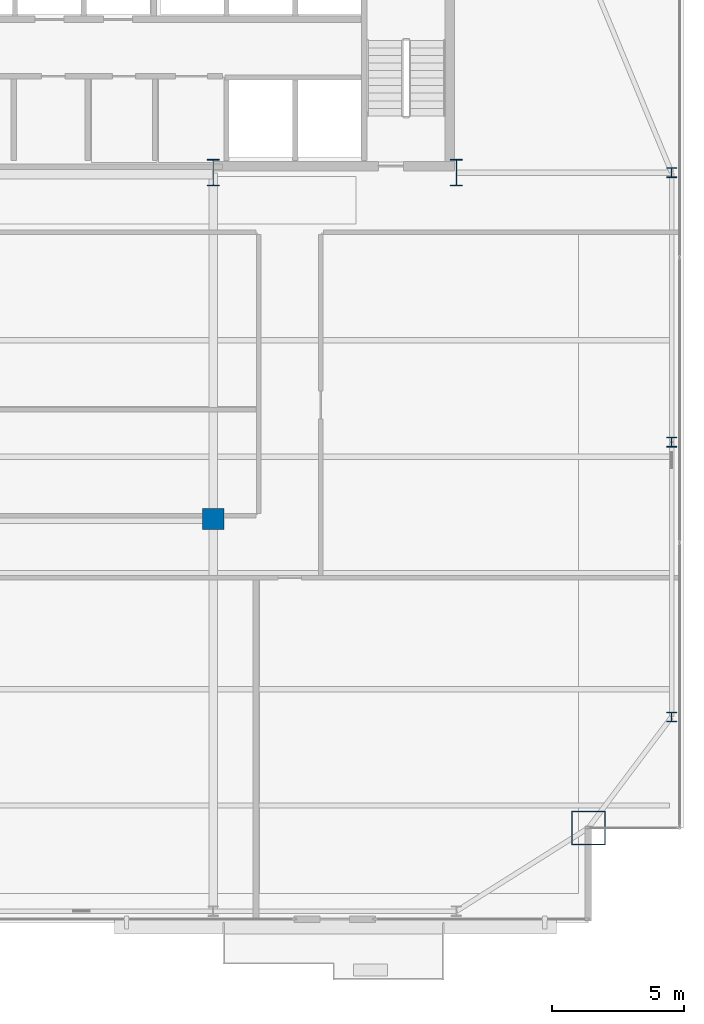
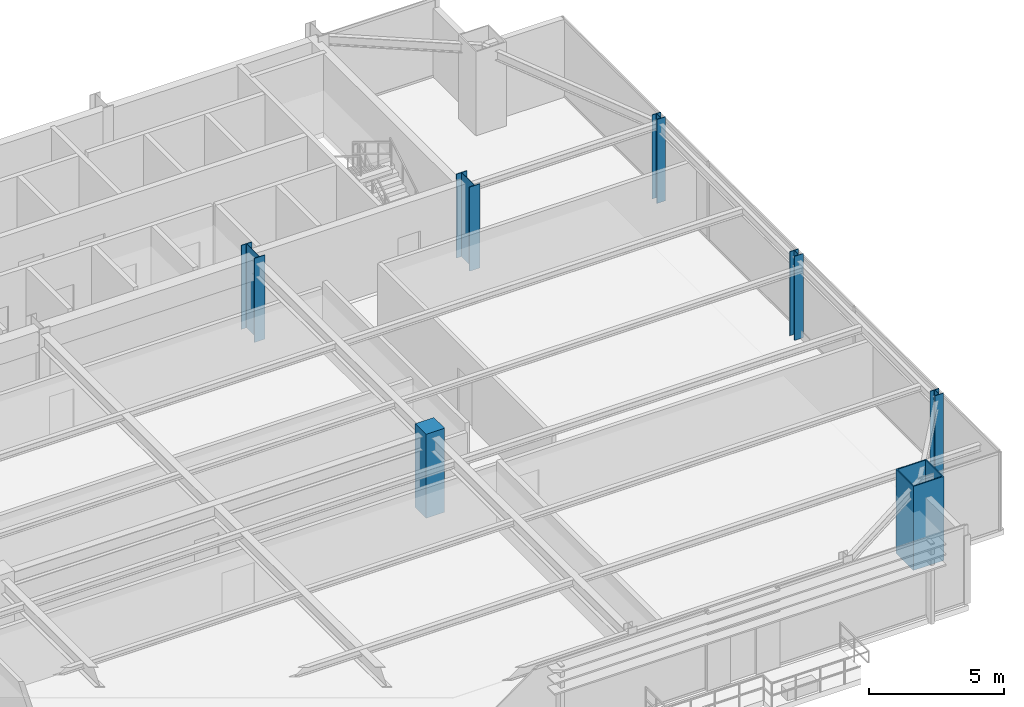
# One storey, part 2 of 31: 7 columns.
"""IFC4 building model written with IfcOpenShell, lengths in metres."""

import ifcopenshell
import ifcopenshell.guid

model = None  # the IFC model being written
_history = None  # IfcOwnerHistory: only IFC2X3 demands one
_inside = {}  # id of a spatial element -> (the spatial element, [elements in it])
_under = {}  # id of a project, library or spatial element -> (it, [spatial elements below it])
_declared = {}  # id of a project -> (the project, [libraries it declares])
_typed = {}  # id of a type object -> (the type object, [elements of that type])
_made_of = {}  # id of a material, layer set ... -> (it, [elements and type objects made of it])


def new_model(schema):
    """Start an empty IFC model of exactly this schema.

    Asked for "IFC4X3", IfcOpenShell would pick the latest addendum, in which some entities
    have other attributes; the version numbers below select the first issue.
    IFC2X3 requires an IfcOwnerHistory on every rooted entity: one is made here for all.
    """
    global model, _history
    if schema == "IFC4X3":
        model = ifcopenshell.file(schema_version=(4, 3, 0, 0))
    else:
        model = ifcopenshell.file(schema=schema)
    _inside.clear()
    _under.clear()
    _declared.clear()
    _typed.clear()
    _made_of.clear()
    _history = None
    if model.schema == "IFC2X3":
        org = make("IfcOrganization", Name="unknown")
        user = make(
            "IfcPersonAndOrganization",
            ThePerson=make("IfcPerson", FamilyName="unknown"),
            TheOrganization=org,
        )
        app = make(
            "IfcApplication",
            ApplicationDeveloper=org,
            Version="unknown",
            ApplicationFullName="unknown",
            ApplicationIdentifier="unknown",
        )
        _history = make(
            "IfcOwnerHistory",
            OwningUser=user,
            OwningApplication=app,
            ChangeAction="ADDED",
            CreationDate=0,
        )
    return model


def make(cls, **values):
    """One entity of the class cls with the attributes given. An attribute that is None is left unset."""
    return model.create_entity(
        cls, **{name: value for name, value in values.items() if value is not None}
    )


def rooted(cls, **values):
    """An entity with a GlobalId (a new one), such as an element, a storey or a relation."""
    return make(cls, GlobalId=ifcopenshell.guid.new(), OwnerHistory=_history, **values)


def si_unit(unit_type, name, prefix=None):
    """IfcSIUnit, for example si_unit("LENGTHUNIT", "METRE", prefix="MILLI")."""
    return make("IfcSIUnit", UnitType=unit_type, Prefix=prefix, Name=name)


def assignment(units):
    """IfcUnitAssignment: the units of a project."""
    return None if units is None else make("IfcUnitAssignment", Units=units)


def point(xyz):
    """IfcCartesianPoint."""
    return None if xyz is None else make("IfcCartesianPoint", Coordinates=xyz)


def direction(xyz):
    """IfcDirection."""
    return None if xyz is None else make("IfcDirection", DirectionRatios=xyz)


def frame(location, z_axis=None, x_axis=None):
    """IfcAxis2Placement3D, a coordinate frame: its origin and axes. An axis left out is left unset."""
    return make(
        "IfcAxis2Placement3D",
        Location=point(location),
        Axis=direction(z_axis),
        RefDirection=direction(x_axis),
    )


def frame_2d(location, x_axis=None):
    """IfcAxis2Placement2D, a coordinate frame in the plane: its origin and x axis."""
    return make(
        "IfcAxis2Placement2D", Location=point(location), RefDirection=direction(x_axis)
    )


def origin():
    """The frame at (0, 0, 0) with its axes left unset."""
    return frame((0.0, 0.0, 0.0))


def origin_2d():
    """The frame at (0, 0) in the plane with its x axis left unset."""
    return frame_2d((0.0, 0.0))


def place(relative_to, where):
    """IfcLocalPlacement: puts the frame where relative to a parent placement (None: the world)."""
    return make(
        "IfcLocalPlacement", PlacementRelTo=relative_to, RelativePlacement=where
    )


def context(
    kind, dimensions, precision=None, world=None, true_north=None, identifier=None
):
    """IfcGeometricRepresentationContext, for example the 3D "Model" context."""
    return make(
        "IfcGeometricRepresentationContext",
        ContextIdentifier=identifier,
        ContextType=kind,
        CoordinateSpaceDimension=dimensions,
        Precision=precision,
        WorldCoordinateSystem=world,
        TrueNorth=true_north,
    )


def subcontext(parent, identifier, kind, view, scale=None):
    """IfcGeometricRepresentationSubContext, for example "Body" below "Model"."""
    return make(
        "IfcGeometricRepresentationSubContext",
        ContextIdentifier=identifier,
        ContextType=kind,
        ParentContext=parent,
        TargetScale=scale,
        TargetView=view,
    )


def project(units=None, contexts=None):
    """IfcProject with its units and contexts."""
    return rooted(
        "IfcProject",
        Name="project",
        RepresentationContexts=contexts,
        UnitsInContext=assignment(units),
    )


def spatial(cls, under=None, at=None, **own):
    """A site, building, storey or space (cls), placed at a placement, below another one or the project."""
    s = rooted(cls, ObjectPlacement=at, **own)
    if under is not None:
        _under.setdefault(under.id(), (under, []))[1].append(s)
    return s


def profile(cls, at=None, kind="AREA", **sizes):
    """A parametric profile (cls). Its sizes go by their IFC names, for example OverallWidth=200.0."""
    return make(cls, ProfileType=kind, Position=at, **sizes)


def rectangle(**sizes):
    """IfcRectangleProfileDef."""
    return profile("IfcRectangleProfileDef", **sizes)


def hollow_rectangle(**sizes):
    """IfcRectangleHollowProfileDef."""
    return profile("IfcRectangleHollowProfileDef", **sizes)


def i_section(**sizes):
    """IfcIShapeProfileDef."""
    return profile("IfcIShapeProfileDef", **sizes)


def extrude(swept, where, along, depth):
    """IfcExtrudedAreaSolid: the profile swept, set in the frame where, extruded along a direction by depth."""
    return make(
        "IfcExtrudedAreaSolid",
        SweptArea=swept,
        Position=where,
        ExtrudedDirection=direction(along),
        Depth=depth,
    )


def shape(context_of_items, identifier, shape_type, items):
    """IfcShapeRepresentation: the items that make up one representation, for example the "Body"."""
    return make(
        "IfcShapeRepresentation",
        ContextOfItems=context_of_items,
        RepresentationIdentifier=identifier,
        RepresentationType=shape_type,
        Items=items,
    )


def source(mapping_origin, context_of_items, identifier, shape_type, items):
    """IfcRepresentationMap: a shape defined once, which mapped items show again and again."""
    return make(
        "IfcRepresentationMap",
        MappingOrigin=mapping_origin,
        MappedRepresentation=shape(context_of_items, identifier, shape_type, items),
    )


def transform(
    local_origin,
    x_axis=None,
    y_axis=None,
    z_axis=None,
    scale=None,
    scale2=None,
    scale3=None,
    uniform=True,
):
    """IfcCartesianTransformationOperator3D, or its non-uniform kind. x_axis, y_axis, z_axis: its Axis1, 2, 3."""
    if uniform:
        return make(
            "IfcCartesianTransformationOperator3D",
            Axis1=direction(x_axis),
            Axis2=direction(y_axis),
            LocalOrigin=point(local_origin),
            Scale=scale,
            Axis3=direction(z_axis),
        )
    return make(
        "IfcCartesianTransformationOperator3DnonUniform",
        Axis1=direction(x_axis),
        Axis2=direction(y_axis),
        LocalOrigin=point(local_origin),
        Scale=scale,
        Axis3=direction(z_axis),
        Scale2=scale2,
        Scale3=scale3,
    )


def mapped(mapping_source, mapping_target):
    """IfcMappedItem: shows the shape of a source again, moved by a transform."""
    return make(
        "IfcMappedItem", MappingSource=mapping_source, MappingTarget=mapping_target
    )


def material(Name=None, Category=None):
    """IfcMaterial."""
    return make("IfcMaterial", Name=Name, Category=Category)


def material_profile(
    of_material, cross_section, Name=None, Category=None, Priority=None
):
    """IfcMaterialProfile: a cross section and its material."""
    return make(
        "IfcMaterialProfile",
        Name=Name,
        Material=of_material,
        Profile=cross_section,
        Priority=Priority,
        Category=Category,
    )


def profile_set(profiles, Name=None, composite=None):
    """IfcMaterialProfileSet."""
    return make(
        "IfcMaterialProfileSet",
        Name=Name,
        MaterialProfiles=profiles,
        CompositeProfile=composite,
    )


def made_of(thing, what):
    """Note that an element or type object is made of a material, layer set ...; save() writes the relation."""
    if what is not None:
        _made_of.setdefault(what.id(), (what, []))[1].append(thing)
    return thing


def type_object(cls, material=None, **own):
    """A type object (cls), such as IfcWallType, which elements share."""
    return made_of(rooted(cls, **own), material)


def type_shapes(of_type, sources):
    """Give a type object the sources (RepresentationMaps) that its elements show as mapped items."""
    of_type.RepresentationMaps = sources


def element(
    cls,
    number,
    at=None,
    inside=None,
    cuts=None,
    type_object=None,
    material=None,
    context=None,
    identifier="Body",
    shape_type=None,
    held_by="IfcProductDefinitionShape",
    body=None,
    shapes=None,
    **own,
):
    """One element of the class cls, such as IfcWall. Its Tag is "e" and its number.

    at: its placement. inside: the storey or other place that contains it. cuts: it is an
    opening in that element (IfcRelVoidsElement). A single representation is given by context,
    identifier, shape_type and body (its items); several are given by shapes. held_by: the class
    of the entity that holds the representations. save() writes the other relations.
    """
    e = rooted(cls, Tag="e%d" % number, ObjectPlacement=at, **own)
    if body is not None:
        shapes = [shape(context, identifier, shape_type, body)]
    if shapes is not None:
        e.Representation = make(held_by, Representations=shapes)
    if inside is not None:
        _inside.setdefault(inside.id(), (inside, []))[1].append(e)
    if cuts is not None:
        rooted(
            "IfcRelVoidsElement", RelatingBuildingElement=cuts, RelatedOpeningElement=e
        )
    if type_object is not None:
        _typed.setdefault(type_object.id(), (type_object, []))[1].append(e)
    return made_of(e, material)


def aggregate(whole, parts):
    """IfcRelAggregates: a whole, such as a stair, and the parts it consists of."""
    return rooted("IfcRelAggregates", RelatingObject=whole, RelatedObjects=parts)


def save(model, path):
    """Write the relations noted so far, then the file.

    IfcRelAggregates (storeys below a building ...), IfcRelContainedInSpatialStructure (elements
    in a storey), IfcRelDefinesByType, IfcRelAssociatesMaterial and IfcRelDeclares: one each for
    every whole, place, type object, material and project.
    """
    for whole, parts in _under.values():
        aggregate(whole, parts)
    for where, things in _inside.values():
        rooted(
            "IfcRelContainedInSpatialStructure",
            RelatedElements=things,
            RelatingStructure=where,
        )
    for kind, things in _typed.values():
        rooted("IfcRelDefinesByType", RelatedObjects=things, RelatingType=kind)
    for what, things in _made_of.values():
        rooted("IfcRelAssociatesMaterial", RelatedObjects=things, RelatingMaterial=what)
    for by, libraries in _declared.values():
        rooted("IfcRelDeclares", RelatingContext=by, RelatedDefinitions=libraries)
    model.write(path)


model = new_model("IFC4")

# Units and contexts
model_context = context("Model", 3, precision=1e-05, world=origin(), true_north=direction((0.0, 1.0)))
body_context = subcontext(model_context, "Body", "Model", "MODEL_VIEW")
ifc_project = project(units=[si_unit("LENGTHUNIT", "METRE"), si_unit("AREAUNIT", "SQUARE_METRE"), si_unit("VOLUMEUNIT", "CUBIC_METRE"), si_unit("PLANEANGLEUNIT", "RADIAN"), si_unit("MASSUNIT", "GRAM", prefix="KILO")], contexts=[model_context])

# Site, building, storey
site_placement = place(None, origin())
site = spatial("IfcSite", under=ifc_project, at=site_placement, CompositionType="ELEMENT")
building_placement = place(site_placement, origin())
building = spatial("IfcBuilding", under=site, at=building_placement, Name="Varnel Quay Broadcast Tower", CompositionType="ELEMENT")
storey_placement = place(building_placement, frame((0.0, 0.0, 153.39990234375)))
storey = spatial("IfcBuildingStorey", under=building, at=storey_placement, Name="L37", CompositionType="ELEMENT", Elevation=153.39990234375)

# Columns
ifc_material_1 = material(Name="Structural Steel CSA G40.21 350WT", Category="steel")
ifc_material_profile_1 = material_profile(ifc_material_1, i_section(OverallWidth=0.449951171875, OverallDepth=1.0, WebThickness=0.01611328125, FlangeThickness=0.030029296875, FilletRadius=0.01611328125, at=origin_2d()), Name="WWF1000X362")
ifc_profile_set_1 = profile_set([ifc_material_profile_1], Name="Structural Steel CSA G40.21 350WT")
column_type_1 = type_object("IfcColumnType", Name="Col_WWF1000X362", PredefinedType="COLUMN", material=ifc_profile_set_1)
shared_shape_1 = source(origin(), body_context, "Body", "SweptSolid", [
    extrude(i_section(OverallWidth=0.449951171875, OverallDepth=1.0, WebThickness=0.01611328125, FlangeThickness=0.030029296875, FilletRadius=0.01611328125, at=origin_2d()), origin(), (0.0, 0.0, 1.0), 3.800048828125),
])
type_shapes(column_type_1, [shared_shape_1])
for number, where, z_axis, x_axis, name in (
    (1, (43.199951171875, 35.60009765625, 0.0), (0.0, 0.0, 1.0), (1.0, 0.0, 0.0), "L37 Column CC-S4"),
    (2, (52.39990234375, 35.60009765625, 0.0), (0.0, 0.0, 1.0), (1.0, 0.0, 0.0), "L37 Column CC-S5"),
):
    element("IfcColumn", number, at=place(storey_placement, frame(where, z_axis=z_axis, x_axis=x_axis)), inside=storey, type_object=column_type_1, Name=name, PredefinedType="COLUMN", context=body_context, shape_type="MappedRepresentation", body=[
        mapped(shared_shape_1, transform((0.0, 0.0, 0.0), x_axis=(1.0, 0.0, 0.0), y_axis=(0.0, 1.0, 0.0), z_axis=(0.0, 0.0, 1.0), scale=1.0)),
    ])
ifc_material_profile_2 = material_profile(ifc_material_1, hollow_rectangle(XDim=1.300048828125, YDim=1.300048828125, WallThickness=0.050048828125, at=origin_2d()), Name="BOX1300X1300X50")
ifc_profile_set_2 = profile_set([ifc_material_profile_2], Name="Structural Steel CSA G40.21 350WT")
column_type_2 = type_object("IfcColumnType", Name="Col_BOX1300X1300X50", PredefinedType="COLUMN", material=ifc_profile_set_2)
shared_shape_2 = source(origin(), body_context, "Body", "SweptSolid", [
    extrude(hollow_rectangle(XDim=1.300048828125, YDim=1.300048828125, WallThickness=0.050048828125, at=origin_2d()), origin(), (0.0, 0.0, 1.0), 3.800048828125),
])
type_shapes(column_type_2, [shared_shape_2])
column_1_placement = place(storey_placement, frame((57.39990234375, 10.800048828125, 0.0), z_axis=(0.0, 0.0, 1.0), x_axis=(1.0, 0.0, 0.0)))
element("IfcColumn", 3, at=column_1_placement, inside=storey, type_object=column_type_2, Name="L37 Column MC-SE", PredefinedType="COLUMN", context=body_context, shape_type="MappedRepresentation", body=[
    mapped(shared_shape_2, transform((0.0, 0.0, 0.0), x_axis=(1.0, 0.0, 0.0), y_axis=(0.0, 1.0, 0.0), z_axis=(0.0, 0.0, 1.0), scale=1.0)),
])
ifc_material_2 = material(Name="Structural Steel CSA G40.21 350W", Category="steel")
ifc_material_profile_3 = material_profile(ifc_material_2, i_section(OverallWidth=0.3740234375, OverallDepth=0.3720703125, WebThickness=0.016357421875, FlangeThickness=0.026123046875, FilletRadius=0.01611328125, at=origin_2d()), Name="W360X196")
ifc_profile_set_3 = profile_set([ifc_material_profile_3], Name="Structural Steel CSA G40.21 350W")
column_type_3 = type_object("IfcColumnType", Name="Col_W360X196", PredefinedType="COLUMN", material=ifc_profile_set_3)
shared_shape_3 = source(origin(), body_context, "Body", "SweptSolid", [
    extrude(i_section(OverallWidth=0.3740234375, OverallDepth=0.3720703125, WebThickness=0.016357421875, FlangeThickness=0.026123046875, FilletRadius=0.01611328125, at=origin_2d()), origin(), (0.0, 0.0, 1.0), 3.800048828125),
])
type_shapes(column_type_3, [shared_shape_3])
for number, where, z_axis, x_axis, name in (
    (4, (60.550048828125, 15.0, 0.0), (0.0, 0.0, 1.0), (1.0, 0.0, 0.0), "L37 Column TC-E1"),
    (5, (60.550048828125, 25.39990234375, 0.0), (0.0, 0.0, 1.0), (1.0, 0.0, 0.0), "L37 Column TC-E2"),
    (6, (60.550048828125, 35.60009765625, 0.0), (0.0, 0.0, 1.0), (1.0, 0.0, 0.0), "L37 Column TC-E3"),
):
    element("IfcColumn", number, at=place(storey_placement, frame(where, z_axis=z_axis, x_axis=x_axis)), inside=storey, type_object=column_type_3, Name=name, PredefinedType="COLUMN", context=body_context, shape_type="MappedRepresentation", body=[
        mapped(shared_shape_3, transform((0.0, 0.0, 0.0), x_axis=(1.0, 0.0, 0.0), y_axis=(0.0, 1.0, 0.0), z_axis=(0.0, 0.0, 1.0), scale=1.0)),
    ])
ifc_material_3 = material(Name="Concrete CSA A23.3 C50/60", Category="concrete")
ifc_material_profile_4 = material_profile(ifc_material_3, rectangle(XDim=0.800048828125, YDim=0.800048828125, at=origin_2d()), Name="RC800X800")
ifc_profile_set_4 = profile_set([ifc_material_profile_4], Name="Concrete CSA A23.3 C50/60")
column_type_4 = type_object("IfcColumnType", Name="Col_RC800X800", PredefinedType="COLUMN", material=ifc_profile_set_4)
shared_shape_4 = source(origin(), body_context, "Body", "SweptSolid", [
    extrude(rectangle(XDim=0.800048828125, YDim=0.800048828125, at=origin_2d()), origin(), (0.0, 0.0, 1.0), 3.800048828125),
])
type_shapes(column_type_4, [shared_shape_4])
column_2_placement = place(storey_placement, frame((43.199951171875, 22.489990234375, 0.0), z_axis=(0.0, 0.0, 1.0), x_axis=(1.0, 0.0, 0.0)))
element("IfcColumn", 7, at=column_2_placement, inside=storey, type_object=column_type_4, Name="L37 Column IC-02", PredefinedType="COLUMN", context=body_context, shape_type="MappedRepresentation", body=[
    mapped(shared_shape_4, transform((0.0, 0.0, 0.0), x_axis=(1.0, 0.0, 0.0), y_axis=(0.0, 1.0, 0.0), z_axis=(0.0, 0.0, 1.0), scale=1.0)),
])

save(model, "model.ifc")
